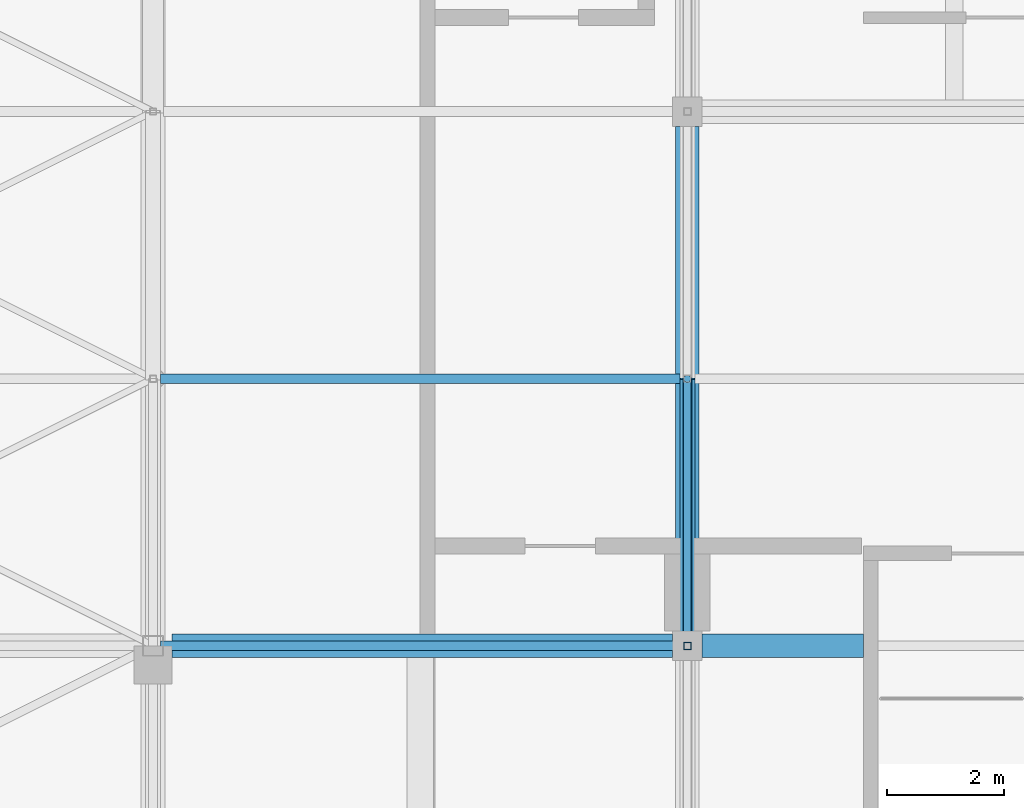
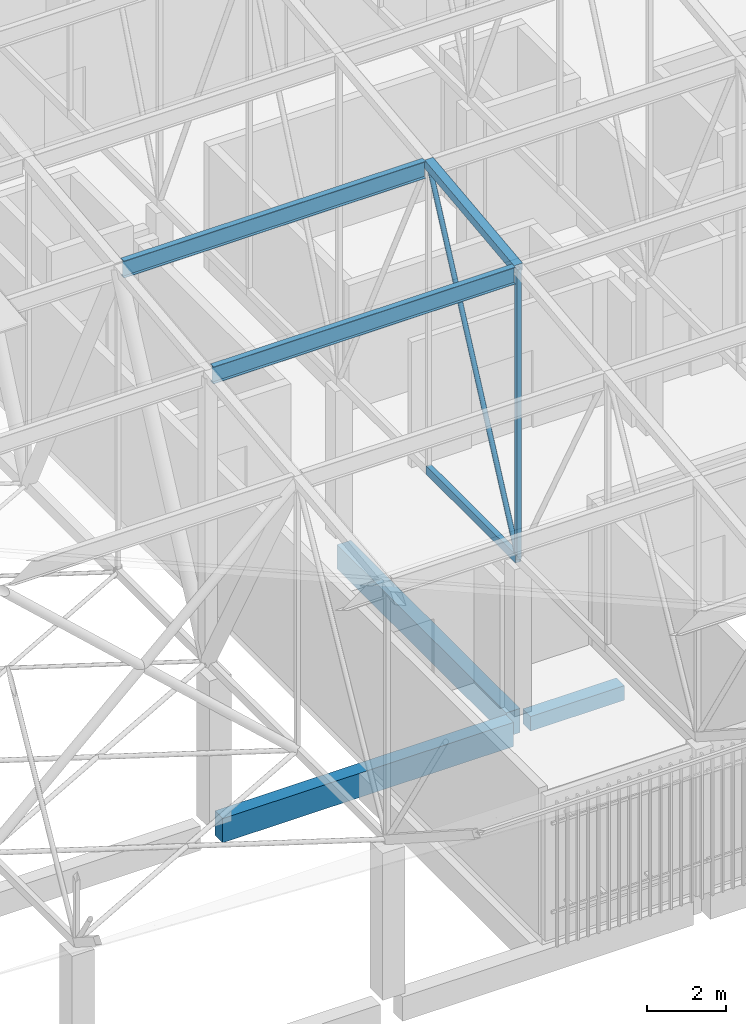
# One storey, part 121 of 500: 6 members, 3 beams.
"""IFC4 building model written with IfcOpenShell, lengths in metres."""

from ifc_helpers import new_model, si_unit, direction, frame, origin, origin_2d, place, context, subcontext, project, spatial, rectangle, hollow_rectangle, hollow_circle, i_section, extrude, material, material_profile, profile_set, type_object, element, save


model = new_model("IFC4")

# Units and contexts
model_context = context("Model", 3, precision=1e-05, world=origin(), true_north=direction((0.0, 1.0)))
body_context = subcontext(model_context, "Body", "Model", "MODEL_VIEW")
ifc_project = project(units=[si_unit("LENGTHUNIT", "METRE"), si_unit("AREAUNIT", "SQUARE_METRE"), si_unit("VOLUMEUNIT", "CUBIC_METRE"), si_unit("PLANEANGLEUNIT", "RADIAN"), si_unit("MASSUNIT", "GRAM", prefix="KILO")], contexts=[model_context])

# Site, building, storey
site_placement = place(None, origin())
site = spatial("IfcSite", under=ifc_project, at=site_placement, CompositionType="ELEMENT")
building_placement = place(site_placement, origin())
building = spatial("IfcBuilding", under=site, at=building_placement, Name="Shirokan Park Arena", CompositionType="ELEMENT")
storey_placement = place(building_placement, frame((0.0, 0.0, 29.1201171875)))
storey = spatial("IfcBuildingStorey", under=building, at=storey_placement, Name="L06", CompositionType="ELEMENT", Elevation=29.1201171875)

# Members
ifc_material_1 = material(Name="Steel ASTM A500 Grade C", Category="steel")
ifc_material_profile_1 = material_profile(ifc_material_1, hollow_rectangle(XDim=0.152099609375, YDim=0.25390625, WallThickness=0.009521484375, at=origin_2d()), Name="HSS254X152.4X9.5")
ifc_profile_set_1 = profile_set([ifc_material_profile_1], Name="Steel ASTM A500 Grade C")
member_type_1 = type_object("IfcMemberType", Name="Bottom chord HSS254X152.4X9.5", PredefinedType="CHORD", material=ifc_profile_set_1)
member_1_placement = place(storey_placement, frame((109.199951171875, 9.10009765625, 4.677001953125), z_axis=(0.0, 1.0, 0.0), x_axis=(-1.0, 0.0, 0.0)))
element("IfcMember", 1, at=member_1_placement, inside=storey, type_object=member_type_1, Name="Truss T13 bottom chord 5", PredefinedType="CHORD", context=body_context, shape_type="SweptSolid", body=[
    extrude(hollow_rectangle(XDim=0.152099609375, YDim=0.25390625, WallThickness=0.009521484375, at=origin_2d()), origin(), (0.0, 0.0, 1.0), 4.5498046875),
])
ifc_material_2 = material(Name="Steel ASTM A992", Category="steel")
ifc_material_profile_2 = material_profile(ifc_material_2, i_section(OverallWidth=0.166015625, OverallDepth=0.528076171875, WebThickness=0.009765625, FlangeThickness=0.013671875, at=origin_2d()), Name="W530X74")
ifc_profile_set_2 = profile_set([ifc_material_profile_2], Name="Steel ASTM A992")
member_type_2 = type_object("IfcMemberType", Name="Purlin W530X74", PredefinedType="PURLIN", material=ifc_profile_set_2)
for number, where, z_axis, x_axis, name in (
    (2, (100.22705078125, 9.10009765625, 13.52587890625), (1.0, 0.0, 0.0), (0.0, 1.0, 0.0), "Purlin 5 bay 12"),
    (3, (100.22705078125, 13.64990234375, 14.0458984375), (1.0, 0.0, 0.0), (0.0, 1.0, 0.0), "Purlin 6 bay 12"),
):
    element("IfcMember", number, at=place(storey_placement, frame(where, z_axis=z_axis, x_axis=x_axis)), inside=storey, type_object=member_type_2, Name=name, PredefinedType="PURLIN", context=body_context, shape_type="SweptSolid", body=[
        extrude(i_section(OverallWidth=0.166015625, OverallDepth=0.528076171875, WebThickness=0.009765625, FlangeThickness=0.013671875, at=origin_2d()), origin(), (0.0, 0.0, 1.0), 8.845947265625),
    ])

# Beams
ifc_material_3 = material(Name="Concrete C35", Category="concrete")
ifc_material_profile_3 = material_profile(ifc_material_3, rectangle(XDim=0.39990234375, YDim=0.75, at=origin_2d()), Name="400x750")
ifc_profile_set_3 = profile_set([ifc_material_profile_3], Name="Concrete C35")
beam_type_1 = type_object("IfcBeamType", Name="RC girder 400x750", PredefinedType="BEAM", material=ifc_profile_set_3)
beam_1_placement = place(storey_placement, frame((100.425048828125, 9.10009765625, -0.5751953125), z_axis=(1.0, 0.0, 0.0), x_axis=(0.0, 1.0, 0.0)))
element("IfcBeam", 4, at=beam_1_placement, inside=storey, type_object=beam_type_1, Name="Girder 12B-13B L06", PredefinedType="BEAM", context=body_context, shape_type="SweptSolid", body=[
    extrude(rectangle(XDim=0.39990234375, YDim=0.75, at=origin_2d()), origin(), (0.0, 0.0, 1.0), 8.52490234375),
])
beam_2_placement = place(storey_placement, frame((109.199951171875, 9.35009765625, -0.5751953125), z_axis=(0.0, 1.0, 0.0), x_axis=(-1.0, 0.0, 0.0)))
element("IfcBeam", 5, at=beam_2_placement, inside=storey, type_object=beam_type_1, Name="Girder 13B-13C L06", PredefinedType="BEAM", context=body_context, shape_type="SweptSolid", body=[
    extrude(rectangle(XDim=0.39990234375, YDim=0.75, at=origin_2d()), origin(), (0.0, 0.0, 1.0), 8.599853515625),
])
ifc_material_profile_4 = material_profile(ifc_material_3, rectangle(XDim=0.39990234375, YDim=0.449951171875, at=origin_2d()), Name="400x450")
ifc_profile_set_4 = profile_set([ifc_material_profile_4], Name="Concrete C35")
beam_type_2 = type_object("IfcBeamType", Name="RC trimmer 400x450", PredefinedType="BEAM", material=ifc_profile_set_4)
beam_3_placement = place(storey_placement, frame((109.4501953125, 9.10009765625, -0.425048828125), z_axis=(1.0, 0.0, 0.0), x_axis=(0.0, 1.0, 0.0)))
element("IfcBeam", 6, at=beam_3_placement, inside=storey, type_object=beam_type_2, Name="Girder 13B-14B L06", PredefinedType="BEAM", context=body_context, shape_type="SweptSolid", body=[
    extrude(rectangle(XDim=0.39990234375, YDim=0.449951171875, at=origin_2d()), origin(), (0.0, 0.0, 1.0), 2.749755859375),
])

# Members
ifc_material_profile_5 = material_profile(ifc_material_1, hollow_rectangle(XDim=0.25390625, YDim=0.25390625, WallThickness=0.009521484375, at=origin_2d()), Name="HSS254X254X9.5")
ifc_profile_set_5 = profile_set([ifc_material_profile_5], Name="Steel ASTM A500 Grade C")
member_type_3 = type_object("IfcMemberType", Name="Top chord HSS254X254X9.5", PredefinedType="CHORD", material=ifc_profile_set_5)
member_2_placement = place(storey_placement, frame((109.199951171875, 9.10009765625, 13.662841796875), z_axis=(0.0, 0.993531641592, 0.11355561261), x_axis=(-1.0, 0.0, 0.0)))
element("IfcMember", 7, at=member_2_placement, inside=storey, type_object=member_type_3, Name="Truss T13 top chord 5", PredefinedType="CHORD", context=body_context, shape_type="SweptSolid", body=[
    extrude(hollow_rectangle(XDim=0.25390625, YDim=0.25390625, WallThickness=0.009521484375, at=origin_2d()), origin(), (0.0, 0.0, 1.0), 4.579345703125),
])
ifc_material_profile_6 = material_profile(ifc_material_1, hollow_circle(Radius=0.070556640625, WallThickness=0.006591796875, at=origin_2d()), Name="HSS141.3X6.6")
ifc_profile_set_6 = profile_set([ifc_material_profile_6], Name="Steel ASTM A500 Grade C")
member_type_4 = type_object("IfcMemberType", Name="Truss diagonal HSS141.3X6.6", PredefinedType="BRACE", material=ifc_profile_set_6)
member_3_placement = place(storey_placement, frame((109.199951171875, 9.10009765625, 4.677001953125), z_axis=(0.0, 0.431727628527, 0.90200402148), x_axis=(-1.0, 0.0, 0.0)))
element("IfcMember", 8, at=member_3_placement, inside=storey, type_object=member_type_4, Name="Truss T13 diagonal 5", PredefinedType="BRACE", context=body_context, shape_type="SweptSolid", body=[
    extrude(hollow_circle(Radius=0.070556640625, WallThickness=0.006591796875, at=origin_2d()), origin(), (0.0, 0.0, 1.0), 10.53857421875),
])
ifc_material_profile_7 = material_profile(ifc_material_1, hollow_rectangle(XDim=0.126953125, YDim=0.126953125, WallThickness=0.008056640625, at=origin_2d()), Name="HSS127X127X7.9")
ifc_profile_set_7 = profile_set([ifc_material_profile_7], Name="Steel ASTM A500 Grade C")
member_type_5 = type_object("IfcMemberType", Name="Truss post HSS127X127X7.9", PredefinedType="POST", material=ifc_profile_set_7)
member_4_placement = place(storey_placement, frame((109.199951171875, 9.10009765625, 4.677001953125), z_axis=(0.0, 0.0, 1.0), x_axis=(1.0, 0.0, 0.0)))
element("IfcMember", 9, at=member_4_placement, inside=storey, type_object=member_type_5, Name="Truss T13 post 5", PredefinedType="POST", context=body_context, shape_type="SweptSolid", body=[
    extrude(hollow_rectangle(XDim=0.126953125, YDim=0.126953125, WallThickness=0.008056640625, at=origin_2d()), origin(), (0.0, 0.0, 1.0), 8.98583984375),
])

save(model, "model.ifc")
